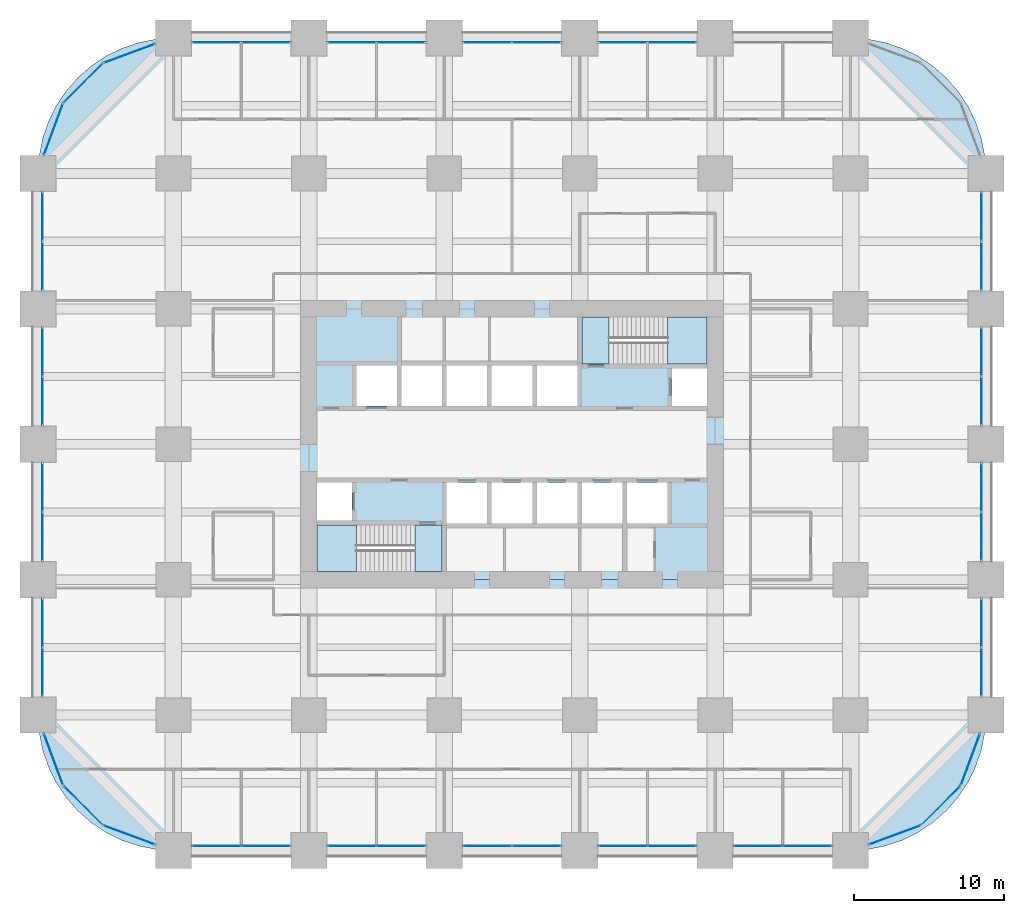
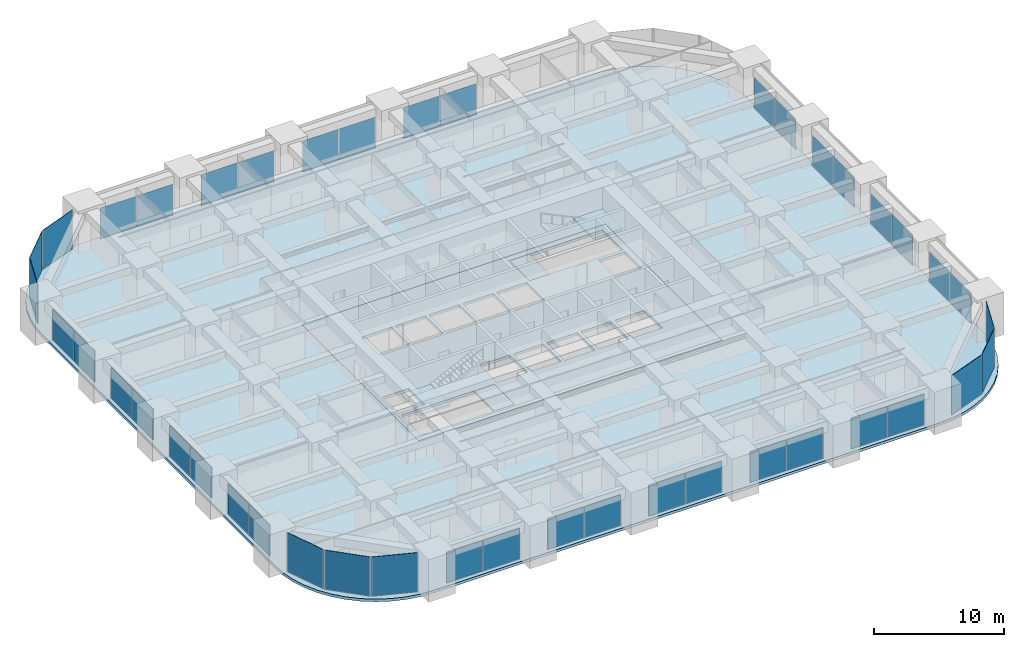
# One storey, part 38 of 45: 43 plates, 6 slabs, 28 elements without a shape of their own.
"""IFC4 building model written with IfcOpenShell, lengths in metres."""

from ifc_helpers import new_model, si_unit, direction, frame, origin, origin_2d, place, context, subcontext, project, spatial, polyline, rectangle, outline, extrude, material, layer, layer_set, type_object, element, aggregate, save


model = new_model("IFC4")

# Units and contexts
model_context = context("Model", 3, precision=1e-05, world=origin(), true_north=direction((0.0, 1.0)))
body_context = subcontext(model_context, "Body", "Model", "MODEL_VIEW")
ifc_project = project(units=[si_unit("LENGTHUNIT", "METRE"), si_unit("AREAUNIT", "SQUARE_METRE"), si_unit("VOLUMEUNIT", "CUBIC_METRE"), si_unit("PLANEANGLEUNIT", "RADIAN"), si_unit("MASSUNIT", "GRAM", prefix="KILO")], contexts=[model_context])

# Site, building, storey
site_placement = place(None, origin())
site = spatial("IfcSite", under=ifc_project, at=site_placement, CompositionType="ELEMENT")
building_placement = place(site_placement, origin())
building = spatial("IfcBuilding", under=site, at=building_placement, Name="Zorevar Civic Tower", CompositionType="ELEMENT")
storey_placement = place(building_placement, frame((0.0, 0.0, 47.800048828125)))
storey = spatial("IfcBuildingStorey", under=building, at=storey_placement, Name="L11", CompositionType="ELEMENT", Elevation=47.800048828125)

# Curtain wall, plates
ifc_material_1 = material(Name="Dark grey solar-control glass in black aluminium frame", Category="aluminium")
curtain_wall_type = type_object("IfcCurtainWallType", Name="Curtain wall CW2 low zone", PredefinedType="NOTDEFINED", material=ifc_material_1)
curtain_wall_1_placement = place(storey_placement, origin())
curtain_wall_1 = element("IfcCurtainWall", 1, at=curtain_wall_1_placement, inside=storey, type_object=curtain_wall_type, Name="CW2 L11", PredefinedType="NOTDEFINED")
ifc_material_2 = material(Name="Dark grey solar-control glass", Category="glass")
ifc_layer_1 = layer(ifc_material_2, 0.031982421875)
ifc_layer_set_1 = layer_set([ifc_layer_1], Name="CW2 panel 32")
plate_type = type_object("IfcPlateType", Name="CW2 panel 32", PredefinedType="CURTAIN_PANEL", material=ifc_layer_set_1)
plate_1_placement = place(storey_placement, frame((11.864990234375, 0.300048828125, 0.06005859375), z_axis=(0.0, 0.0, 1.0), x_axis=(1.0, 0.0, 0.0)))
plate_1 = element("IfcPlate", 2, at=plate_1_placement, type_object=plate_type, Name="CW2 panel 1.1", PredefinedType="CURTAIN_PANEL", context=body_context, shape_type="SweptSolid", body=[
    extrude(rectangle(XDim=3.2099609375, YDim=0.031982421875, at=origin_2d()), origin(), (0.0, 0.0, 1.0), 2.889892578125),
])
plate_2_placement = place(storey_placement, frame((15.135009765625, 0.300048828125, 0.06005859375), z_axis=(0.0, 0.0, 1.0), x_axis=(1.0, 0.0, 0.0)))
plate_2 = element("IfcPlate", 3, at=plate_2_placement, type_object=plate_type, Name="CW2 panel 2.1", PredefinedType="CURTAIN_PANEL", context=body_context, shape_type="SweptSolid", body=[
    extrude(rectangle(XDim=3.2099609375, YDim=0.031982421875, at=origin_2d()), origin(), (0.0, 0.0, 1.0), 2.889892578125),
])
aggregate(curtain_wall_1, [plate_1, plate_2])

curtain_wall_2_placement = place(storey_placement, origin())
curtain_wall_2 = element("IfcCurtainWall", 4, at=curtain_wall_2_placement, inside=storey, type_object=curtain_wall_type, Name="CW2 L11", PredefinedType="NOTDEFINED")
plate_3_placement = place(storey_placement, frame((11.864990234375, 53.699951171875, 0.06005859375), z_axis=(0.0, 0.0, 1.0), x_axis=(1.0, 0.0, 0.0)))
plate_3 = element("IfcPlate", 5, at=plate_3_placement, type_object=plate_type, Name="CW2 panel 1.1", PredefinedType="CURTAIN_PANEL", context=body_context, shape_type="SweptSolid", body=[
    extrude(rectangle(XDim=3.2099609375, YDim=0.031982421875, at=origin_2d()), origin(), (0.0, 0.0, 1.0), 2.889892578125),
])
plate_4_placement = place(storey_placement, frame((15.135009765625, 53.699951171875, 0.06005859375), z_axis=(0.0, 0.0, 1.0), x_axis=(1.0, 0.0, 0.0)))
plate_4 = element("IfcPlate", 6, at=plate_4_placement, type_object=plate_type, Name="CW2 panel 2.1", PredefinedType="CURTAIN_PANEL", context=body_context, shape_type="SweptSolid", body=[
    extrude(rectangle(XDim=3.2099609375, YDim=0.031982421875, at=origin_2d()), origin(), (0.0, 0.0, 1.0), 2.889892578125),
])
aggregate(curtain_wall_2, [plate_3, plate_4])

curtain_wall_3_placement = place(storey_placement, origin())
curtain_wall_3 = element("IfcCurtainWall", 7, at=curtain_wall_3_placement, inside=storey, type_object=curtain_wall_type, Name="CW2 L11", PredefinedType="NOTDEFINED")
plate_5_placement = place(storey_placement, frame((20.864990234375, 0.300048828125, 0.06005859375), z_axis=(0.0, 0.0, 1.0), x_axis=(1.0, 0.0, 0.0)))
plate_5 = element("IfcPlate", 8, at=plate_5_placement, type_object=plate_type, Name="CW2 panel 1.1", PredefinedType="CURTAIN_PANEL", context=body_context, shape_type="SweptSolid", body=[
    extrude(rectangle(XDim=3.2099609375, YDim=0.031982421875, at=origin_2d()), origin(), (0.0, 0.0, 1.0), 2.889892578125),
])
plate_6_placement = place(storey_placement, frame((24.135009765625, 0.300048828125, 0.06005859375), z_axis=(0.0, 0.0, 1.0), x_axis=(1.0, 0.0, 0.0)))
plate_6 = element("IfcPlate", 9, at=plate_6_placement, type_object=plate_type, Name="CW2 panel 2.1", PredefinedType="CURTAIN_PANEL", context=body_context, shape_type="SweptSolid", body=[
    extrude(rectangle(XDim=3.2099609375, YDim=0.031982421875, at=origin_2d()), origin(), (0.0, 0.0, 1.0), 2.889892578125),
])
aggregate(curtain_wall_3, [plate_5, plate_6])

curtain_wall_4_placement = place(storey_placement, origin())
curtain_wall_4 = element("IfcCurtainWall", 10, at=curtain_wall_4_placement, inside=storey, type_object=curtain_wall_type, Name="CW2 L11", PredefinedType="NOTDEFINED")
plate_7_placement = place(storey_placement, frame((20.864990234375, 53.699951171875, 0.06005859375), z_axis=(0.0, 0.0, 1.0), x_axis=(1.0, 0.0, 0.0)))
plate_7 = element("IfcPlate", 11, at=plate_7_placement, type_object=plate_type, Name="CW2 panel 1.1", PredefinedType="CURTAIN_PANEL", context=body_context, shape_type="SweptSolid", body=[
    extrude(rectangle(XDim=3.2099609375, YDim=0.031982421875, at=origin_2d()), origin(), (0.0, 0.0, 1.0), 2.889892578125),
])
plate_8_placement = place(storey_placement, frame((24.135009765625, 53.699951171875, 0.06005859375), z_axis=(0.0, 0.0, 1.0), x_axis=(1.0, 0.0, 0.0)))
plate_8 = element("IfcPlate", 12, at=plate_8_placement, type_object=plate_type, Name="CW2 panel 2.1", PredefinedType="CURTAIN_PANEL", context=body_context, shape_type="SweptSolid", body=[
    extrude(rectangle(XDim=3.2099609375, YDim=0.031982421875, at=origin_2d()), origin(), (0.0, 0.0, 1.0), 2.889892578125),
])
aggregate(curtain_wall_4, [plate_7, plate_8])

curtain_wall_5_placement = place(storey_placement, origin())
curtain_wall_5 = element("IfcCurtainWall", 13, at=curtain_wall_5_placement, inside=storey, type_object=curtain_wall_type, Name="CW2 L11", PredefinedType="NOTDEFINED")
plate_9_placement = place(storey_placement, frame((29.864990234375, 0.300048828125, 0.06005859375), z_axis=(0.0, 0.0, 1.0), x_axis=(1.0, 0.0, 0.0)))
plate_9 = element("IfcPlate", 14, at=plate_9_placement, type_object=plate_type, Name="CW2 panel 1.1", PredefinedType="CURTAIN_PANEL", context=body_context, shape_type="SweptSolid", body=[
    extrude(rectangle(XDim=3.2099609375, YDim=0.031982421875, at=origin_2d()), origin(), (0.0, 0.0, 1.0), 2.889892578125),
])
plate_10_placement = place(storey_placement, frame((33.135009765625, 0.300048828125, 0.06005859375), z_axis=(0.0, 0.0, 1.0), x_axis=(1.0, 0.0, 0.0)))
plate_10 = element("IfcPlate", 15, at=plate_10_placement, type_object=plate_type, Name="CW2 panel 2.1", PredefinedType="CURTAIN_PANEL", context=body_context, shape_type="SweptSolid", body=[
    extrude(rectangle(XDim=3.2099609375, YDim=0.031982421875, at=origin_2d()), origin(), (0.0, 0.0, 1.0), 2.889892578125),
])
aggregate(curtain_wall_5, [plate_9, plate_10])

curtain_wall_6_placement = place(storey_placement, origin())
curtain_wall_6 = element("IfcCurtainWall", 16, at=curtain_wall_6_placement, inside=storey, type_object=curtain_wall_type, Name="CW2 L11", PredefinedType="NOTDEFINED")
plate_11_placement = place(storey_placement, frame((29.864990234375, 53.699951171875, 0.06005859375), z_axis=(0.0, 0.0, 1.0), x_axis=(1.0, 0.0, 0.0)))
plate_11 = element("IfcPlate", 17, at=plate_11_placement, type_object=plate_type, Name="CW2 panel 1.1", PredefinedType="CURTAIN_PANEL", context=body_context, shape_type="SweptSolid", body=[
    extrude(rectangle(XDim=3.2099609375, YDim=0.031982421875, at=origin_2d()), origin(), (0.0, 0.0, 1.0), 2.889892578125),
])
plate_12_placement = place(storey_placement, frame((33.135009765625, 53.699951171875, 0.06005859375), z_axis=(0.0, 0.0, 1.0), x_axis=(1.0, 0.0, 0.0)))
plate_12 = element("IfcPlate", 18, at=plate_12_placement, type_object=plate_type, Name="CW2 panel 2.1", PredefinedType="CURTAIN_PANEL", context=body_context, shape_type="SweptSolid", body=[
    extrude(rectangle(XDim=3.2099609375, YDim=0.031982421875, at=origin_2d()), origin(), (0.0, 0.0, 1.0), 2.889892578125),
])
aggregate(curtain_wall_6, [plate_11, plate_12])

curtain_wall_7_placement = place(storey_placement, origin())
curtain_wall_7 = element("IfcCurtainWall", 19, at=curtain_wall_7_placement, inside=storey, type_object=curtain_wall_type, Name="CW2 L11", PredefinedType="NOTDEFINED")
plate_13_placement = place(storey_placement, frame((38.864990234375, 0.300048828125, 0.06005859375), z_axis=(0.0, 0.0, 1.0), x_axis=(1.0, 0.0, 0.0)))
plate_13 = element("IfcPlate", 20, at=plate_13_placement, type_object=plate_type, Name="CW2 panel 1.1", PredefinedType="CURTAIN_PANEL", context=body_context, shape_type="SweptSolid", body=[
    extrude(rectangle(XDim=3.2099609375, YDim=0.031982421875, at=origin_2d()), origin(), (0.0, 0.0, 1.0), 2.889892578125),
])
plate_14_placement = place(storey_placement, frame((42.135009765625, 0.300048828125, 0.06005859375), z_axis=(0.0, 0.0, 1.0), x_axis=(1.0, 0.0, 0.0)))
plate_14 = element("IfcPlate", 21, at=plate_14_placement, type_object=plate_type, Name="CW2 panel 2.1", PredefinedType="CURTAIN_PANEL", context=body_context, shape_type="SweptSolid", body=[
    extrude(rectangle(XDim=3.2099609375, YDim=0.031982421875, at=origin_2d()), origin(), (0.0, 0.0, 1.0), 2.889892578125),
])
aggregate(curtain_wall_7, [plate_13, plate_14])

curtain_wall_8_placement = place(storey_placement, origin())
curtain_wall_8 = element("IfcCurtainWall", 22, at=curtain_wall_8_placement, inside=storey, type_object=curtain_wall_type, Name="CW2 L11", PredefinedType="NOTDEFINED")
plate_15_placement = place(storey_placement, frame((38.864990234375, 53.699951171875, 0.06005859375), z_axis=(0.0, 0.0, 1.0), x_axis=(1.0, 0.0, 0.0)))
plate_15 = element("IfcPlate", 23, at=plate_15_placement, type_object=plate_type, Name="CW2 panel 1.1", PredefinedType="CURTAIN_PANEL", context=body_context, shape_type="SweptSolid", body=[
    extrude(rectangle(XDim=3.2099609375, YDim=0.031982421875, at=origin_2d()), origin(), (0.0, 0.0, 1.0), 2.889892578125),
])
plate_16_placement = place(storey_placement, frame((42.135009765625, 53.699951171875, 0.06005859375), z_axis=(0.0, 0.0, 1.0), x_axis=(1.0, 0.0, 0.0)))
plate_16 = element("IfcPlate", 24, at=plate_16_placement, type_object=plate_type, Name="CW2 panel 2.1", PredefinedType="CURTAIN_PANEL", context=body_context, shape_type="SweptSolid", body=[
    extrude(rectangle(XDim=3.2099609375, YDim=0.031982421875, at=origin_2d()), origin(), (0.0, 0.0, 1.0), 2.889892578125),
])
aggregate(curtain_wall_8, [plate_15, plate_16])

curtain_wall_9_placement = place(storey_placement, origin())
curtain_wall_9 = element("IfcCurtainWall", 25, at=curtain_wall_9_placement, inside=storey, type_object=curtain_wall_type, Name="CW2 L11", PredefinedType="NOTDEFINED")
plate_17_placement = place(storey_placement, frame((47.864990234375, 0.300048828125, 0.06005859375), z_axis=(0.0, 0.0, 1.0), x_axis=(1.0, 0.0, 0.0)))
plate_17 = element("IfcPlate", 26, at=plate_17_placement, type_object=plate_type, Name="CW2 panel 1.1", PredefinedType="CURTAIN_PANEL", context=body_context, shape_type="SweptSolid", body=[
    extrude(rectangle(XDim=3.2099609375, YDim=0.031982421875, at=origin_2d()), origin(), (0.0, 0.0, 1.0), 2.889892578125),
])
plate_18_placement = place(storey_placement, frame((51.135009765625, 0.300048828125, 0.06005859375), z_axis=(0.0, 0.0, 1.0), x_axis=(1.0, 0.0, 0.0)))
plate_18 = element("IfcPlate", 27, at=plate_18_placement, type_object=plate_type, Name="CW2 panel 2.1", PredefinedType="CURTAIN_PANEL", context=body_context, shape_type="SweptSolid", body=[
    extrude(rectangle(XDim=3.2099609375, YDim=0.031982421875, at=origin_2d()), origin(), (0.0, 0.0, 1.0), 2.889892578125),
])
aggregate(curtain_wall_9, [plate_17, plate_18])

curtain_wall_10_placement = place(storey_placement, origin())
curtain_wall_10 = element("IfcCurtainWall", 28, at=curtain_wall_10_placement, inside=storey, type_object=curtain_wall_type, Name="CW2 L11", PredefinedType="NOTDEFINED")
plate_19_placement = place(storey_placement, frame((0.300048828125, 11.864990234375, 0.06005859375), z_axis=(0.0, 0.0, 1.0), x_axis=(0.0, 1.0, 0.0)))
plate_19 = element("IfcPlate", 29, at=plate_19_placement, type_object=plate_type, Name="CW2 panel 1.1", PredefinedType="CURTAIN_PANEL", context=body_context, shape_type="SweptSolid", body=[
    extrude(rectangle(XDim=3.2099609375, YDim=0.031982421875, at=origin_2d()), origin(), (0.0, 0.0, 1.0), 2.889892578125),
])
plate_20_placement = place(storey_placement, frame((0.300048828125, 15.135009765625, 0.06005859375), z_axis=(0.0, 0.0, 1.0), x_axis=(0.0, 1.0, 0.0)))
plate_20 = element("IfcPlate", 30, at=plate_20_placement, type_object=plate_type, Name="CW2 panel 2.1", PredefinedType="CURTAIN_PANEL", context=body_context, shape_type="SweptSolid", body=[
    extrude(rectangle(XDim=3.2099609375, YDim=0.031982421875, at=origin_2d()), origin(), (0.0, 0.0, 1.0), 2.889892578125),
])
aggregate(curtain_wall_10, [plate_19, plate_20])

curtain_wall_11_placement = place(storey_placement, origin())
curtain_wall_11 = element("IfcCurtainWall", 31, at=curtain_wall_11_placement, inside=storey, type_object=curtain_wall_type, Name="CW2 L11", PredefinedType="NOTDEFINED")
plate_21_placement = place(storey_placement, frame((62.699951171875, 11.864990234375, 0.06005859375), z_axis=(0.0, 0.0, 1.0), x_axis=(0.0, 1.0, 0.0)))
plate_21 = element("IfcPlate", 32, at=plate_21_placement, type_object=plate_type, Name="CW2 panel 1.1", PredefinedType="CURTAIN_PANEL", context=body_context, shape_type="SweptSolid", body=[
    extrude(rectangle(XDim=3.2099609375, YDim=0.031982421875, at=origin_2d()), origin(), (0.0, 0.0, 1.0), 2.889892578125),
])
plate_22_placement = place(storey_placement, frame((62.699951171875, 15.135009765625, 0.06005859375), z_axis=(0.0, 0.0, 1.0), x_axis=(0.0, 1.0, 0.0)))
plate_22 = element("IfcPlate", 33, at=plate_22_placement, type_object=plate_type, Name="CW2 panel 2.1", PredefinedType="CURTAIN_PANEL", context=body_context, shape_type="SweptSolid", body=[
    extrude(rectangle(XDim=3.2099609375, YDim=0.031982421875, at=origin_2d()), origin(), (0.0, 0.0, 1.0), 2.889892578125),
])
aggregate(curtain_wall_11, [plate_21, plate_22])

curtain_wall_12_placement = place(storey_placement, origin())
curtain_wall_12 = element("IfcCurtainWall", 34, at=curtain_wall_12_placement, inside=storey, type_object=curtain_wall_type, Name="CW2 L11", PredefinedType="NOTDEFINED")
plate_23_placement = place(storey_placement, frame((0.300048828125, 20.864990234375, 0.06005859375), z_axis=(0.0, 0.0, 1.0), x_axis=(0.0, 1.0, 0.0)))
plate_23 = element("IfcPlate", 35, at=plate_23_placement, type_object=plate_type, Name="CW2 panel 1.1", PredefinedType="CURTAIN_PANEL", context=body_context, shape_type="SweptSolid", body=[
    extrude(rectangle(XDim=3.2099609375, YDim=0.031982421875, at=origin_2d()), origin(), (0.0, 0.0, 1.0), 2.889892578125),
])
plate_24_placement = place(storey_placement, frame((0.300048828125, 24.135009765625, 0.06005859375), z_axis=(0.0, 0.0, 1.0), x_axis=(0.0, 1.0, 0.0)))
plate_24 = element("IfcPlate", 36, at=plate_24_placement, type_object=plate_type, Name="CW2 panel 2.1", PredefinedType="CURTAIN_PANEL", context=body_context, shape_type="SweptSolid", body=[
    extrude(rectangle(XDim=3.2099609375, YDim=0.031982421875, at=origin_2d()), origin(), (0.0, 0.0, 1.0), 2.889892578125),
])
aggregate(curtain_wall_12, [plate_23, plate_24])

curtain_wall_13_placement = place(storey_placement, origin())
curtain_wall_13 = element("IfcCurtainWall", 37, at=curtain_wall_13_placement, inside=storey, type_object=curtain_wall_type, Name="CW2 L11", PredefinedType="NOTDEFINED")
plate_25_placement = place(storey_placement, frame((62.699951171875, 20.864990234375, 0.06005859375), z_axis=(0.0, 0.0, 1.0), x_axis=(0.0, 1.0, 0.0)))
plate_25 = element("IfcPlate", 38, at=plate_25_placement, type_object=plate_type, Name="CW2 panel 1.1", PredefinedType="CURTAIN_PANEL", context=body_context, shape_type="SweptSolid", body=[
    extrude(rectangle(XDim=3.2099609375, YDim=0.031982421875, at=origin_2d()), origin(), (0.0, 0.0, 1.0), 2.889892578125),
])
plate_26_placement = place(storey_placement, frame((62.699951171875, 24.135009765625, 0.06005859375), z_axis=(0.0, 0.0, 1.0), x_axis=(0.0, 1.0, 0.0)))
plate_26 = element("IfcPlate", 39, at=plate_26_placement, type_object=plate_type, Name="CW2 panel 2.1", PredefinedType="CURTAIN_PANEL", context=body_context, shape_type="SweptSolid", body=[
    extrude(rectangle(XDim=3.2099609375, YDim=0.031982421875, at=origin_2d()), origin(), (0.0, 0.0, 1.0), 2.889892578125),
])
aggregate(curtain_wall_13, [plate_25, plate_26])

curtain_wall_14_placement = place(storey_placement, origin())
curtain_wall_14 = element("IfcCurtainWall", 40, at=curtain_wall_14_placement, inside=storey, type_object=curtain_wall_type, Name="CW2 L11", PredefinedType="NOTDEFINED")
plate_27_placement = place(storey_placement, frame((0.300048828125, 29.864990234375, 0.06005859375), z_axis=(0.0, 0.0, 1.0), x_axis=(0.0, 1.0, 0.0)))
plate_27 = element("IfcPlate", 41, at=plate_27_placement, type_object=plate_type, Name="CW2 panel 1.1", PredefinedType="CURTAIN_PANEL", context=body_context, shape_type="SweptSolid", body=[
    extrude(rectangle(XDim=3.2099609375, YDim=0.031982421875, at=origin_2d()), origin(), (0.0, 0.0, 1.0), 2.889892578125),
])
plate_28_placement = place(storey_placement, frame((0.300048828125, 33.135009765625, 0.06005859375), z_axis=(0.0, 0.0, 1.0), x_axis=(0.0, 1.0, 0.0)))
plate_28 = element("IfcPlate", 42, at=plate_28_placement, type_object=plate_type, Name="CW2 panel 2.1", PredefinedType="CURTAIN_PANEL", context=body_context, shape_type="SweptSolid", body=[
    extrude(rectangle(XDim=3.2099609375, YDim=0.031982421875, at=origin_2d()), origin(), (0.0, 0.0, 1.0), 2.889892578125),
])
aggregate(curtain_wall_14, [plate_27, plate_28])

curtain_wall_15_placement = place(storey_placement, origin())
curtain_wall_15 = element("IfcCurtainWall", 43, at=curtain_wall_15_placement, inside=storey, type_object=curtain_wall_type, Name="CW2 L11", PredefinedType="NOTDEFINED")
plate_29_placement = place(storey_placement, frame((62.699951171875, 29.864990234375, 0.06005859375), z_axis=(0.0, 0.0, 1.0), x_axis=(0.0, 1.0, 0.0)))
plate_29 = element("IfcPlate", 44, at=plate_29_placement, type_object=plate_type, Name="CW2 panel 1.1", PredefinedType="CURTAIN_PANEL", context=body_context, shape_type="SweptSolid", body=[
    extrude(rectangle(XDim=3.2099609375, YDim=0.031982421875, at=origin_2d()), origin(), (0.0, 0.0, 1.0), 2.889892578125),
])
plate_30_placement = place(storey_placement, frame((62.699951171875, 33.135009765625, 0.06005859375), z_axis=(0.0, 0.0, 1.0), x_axis=(0.0, 1.0, 0.0)))
plate_30 = element("IfcPlate", 45, at=plate_30_placement, type_object=plate_type, Name="CW2 panel 2.1", PredefinedType="CURTAIN_PANEL", context=body_context, shape_type="SweptSolid", body=[
    extrude(rectangle(XDim=3.2099609375, YDim=0.031982421875, at=origin_2d()), origin(), (0.0, 0.0, 1.0), 2.889892578125),
])
aggregate(curtain_wall_15, [plate_29, plate_30])

curtain_wall_16_placement = place(storey_placement, origin())
curtain_wall_16 = element("IfcCurtainWall", 46, at=curtain_wall_16_placement, inside=storey, type_object=curtain_wall_type, Name="CW2 L11", PredefinedType="NOTDEFINED")
plate_31_placement = place(storey_placement, frame((0.300048828125, 38.864990234375, 0.06005859375), z_axis=(0.0, 0.0, 1.0), x_axis=(0.0, 1.0, 0.0)))
plate_31 = element("IfcPlate", 47, at=plate_31_placement, type_object=plate_type, Name="CW2 panel 1.1", PredefinedType="CURTAIN_PANEL", context=body_context, shape_type="SweptSolid", body=[
    extrude(rectangle(XDim=3.2099609375, YDim=0.031982421875, at=origin_2d()), origin(), (0.0, 0.0, 1.0), 2.889892578125),
])
plate_32_placement = place(storey_placement, frame((0.300048828125, 42.135009765625, 0.06005859375), z_axis=(0.0, 0.0, 1.0), x_axis=(0.0, 1.0, 0.0)))
plate_32 = element("IfcPlate", 48, at=plate_32_placement, type_object=plate_type, Name="CW2 panel 2.1", PredefinedType="CURTAIN_PANEL", context=body_context, shape_type="SweptSolid", body=[
    extrude(rectangle(XDim=3.2099609375, YDim=0.031982421875, at=origin_2d()), origin(), (0.0, 0.0, 1.0), 2.889892578125),
])
aggregate(curtain_wall_16, [plate_31, plate_32])

curtain_wall_17_placement = place(storey_placement, origin())
curtain_wall_17 = element("IfcCurtainWall", 49, at=curtain_wall_17_placement, inside=storey, type_object=curtain_wall_type, Name="CW2 L11", PredefinedType="NOTDEFINED")
plate_33_placement = place(storey_placement, frame((62.699951171875, 38.864990234375, 0.06005859375), z_axis=(0.0, 0.0, 1.0), x_axis=(0.0, 1.0, 0.0)))
plate_33 = element("IfcPlate", 50, at=plate_33_placement, type_object=plate_type, Name="CW2 panel 1.1", PredefinedType="CURTAIN_PANEL", context=body_context, shape_type="SweptSolid", body=[
    extrude(rectangle(XDim=3.2099609375, YDim=0.031982421875, at=origin_2d()), origin(), (0.0, 0.0, 1.0), 2.889892578125),
])
plate_34_placement = place(storey_placement, frame((62.699951171875, 42.135009765625, 0.06005859375), z_axis=(0.0, 0.0, 1.0), x_axis=(0.0, 1.0, 0.0)))
plate_34 = element("IfcPlate", 51, at=plate_34_placement, type_object=plate_type, Name="CW2 panel 2.1", PredefinedType="CURTAIN_PANEL", context=body_context, shape_type="SweptSolid", body=[
    extrude(rectangle(XDim=3.2099609375, YDim=0.031982421875, at=origin_2d()), origin(), (0.0, 0.0, 1.0), 2.889892578125),
])
aggregate(curtain_wall_17, [plate_33, plate_34])

# Curtain wall, plate
curtain_wall_18_placement = place(storey_placement, origin())
curtain_wall_18 = element("IfcCurtainWall", 52, at=curtain_wall_18_placement, inside=storey, type_object=curtain_wall_type, Name="CW2 L11", PredefinedType="NOTDEFINED")
plate_35_placement = place(storey_placement, frame((56.9462890625, 1.02880859375, 0.06005859375), z_axis=(0.0, 0.0, 1.0), x_axis=(0.937974588163, 0.346704012033, 0.0)))
plate_35 = element("IfcPlate", 53, at=plate_35_placement, type_object=plate_type, Name="CW2 panel 1.1", PredefinedType="CURTAIN_PANEL", context=body_context, shape_type="SweptSolid", body=[
    extrude(rectangle(XDim=3.603759765625, YDim=0.031982421875, at=origin_2d()), origin(), (0.0, 0.0, 1.0), 3.68994140625),
])
aggregate(curtain_wall_18, [plate_35])

curtain_wall_19_placement = place(storey_placement, origin())
curtain_wall_19 = element("IfcCurtainWall", 54, at=curtain_wall_19_placement, inside=storey, type_object=curtain_wall_type, Name="CW2 L11", PredefinedType="NOTDEFINED")
plate_36_placement = place(storey_placement, frame((60.00927734375, 2.99072265625, 0.06005859375), z_axis=(0.0, 0.0, 1.0), x_axis=(0.707106781187, 0.707106781187, 0.0)))
plate_36 = element("IfcPlate", 55, at=plate_36_placement, type_object=plate_type, Name="CW2 panel 1.1", PredefinedType="CURTAIN_PANEL", context=body_context, shape_type="SweptSolid", body=[
    extrude(rectangle(XDim=3.603759765625, YDim=0.031982421875, at=origin_2d()), origin(), (0.0, 0.0, 1.0), 3.68994140625),
])
aggregate(curtain_wall_19, [plate_36])

curtain_wall_20_placement = place(storey_placement, origin())
curtain_wall_20 = element("IfcCurtainWall", 56, at=curtain_wall_20_placement, inside=storey, type_object=curtain_wall_type, Name="CW2 L11", PredefinedType="NOTDEFINED")
plate_37_placement = place(storey_placement, frame((61.97119140625, 6.0537109375, 0.06005859375), z_axis=(0.0, 0.0, 1.0), x_axis=(0.346704012033, 0.937974588163, 0.0)))
plate_37 = element("IfcPlate", 57, at=plate_37_placement, type_object=plate_type, Name="CW2 panel 1.1", PredefinedType="CURTAIN_PANEL", context=body_context, shape_type="SweptSolid", body=[
    extrude(rectangle(XDim=3.603759765625, YDim=0.031982421875, at=origin_2d()), origin(), (0.0, 0.0, 1.0), 3.68994140625),
])
aggregate(curtain_wall_20, [plate_37])

curtain_wall_21_placement = place(storey_placement, origin())
curtain_wall_21 = element("IfcCurtainWall", 58, at=curtain_wall_21_placement, inside=storey, type_object=curtain_wall_type, Name="CW2 L11", PredefinedType="NOTDEFINED")
plate_38_placement = place(storey_placement, frame((6.0537109375, 52.97119140625, 0.06005859375), z_axis=(0.0, 0.0, 1.0), x_axis=(-0.937974588163, -0.346704012033, 0.0)))
plate_38 = element("IfcPlate", 59, at=plate_38_placement, type_object=plate_type, Name="CW2 panel 1.1", PredefinedType="CURTAIN_PANEL", context=body_context, shape_type="SweptSolid", body=[
    extrude(rectangle(XDim=3.603759765625, YDim=0.031982421875, at=origin_2d()), origin(), (0.0, 0.0, 1.0), 3.68994140625),
])
aggregate(curtain_wall_21, [plate_38])

curtain_wall_22_placement = place(storey_placement, origin())
curtain_wall_22 = element("IfcCurtainWall", 60, at=curtain_wall_22_placement, inside=storey, type_object=curtain_wall_type, Name="CW2 L11", PredefinedType="NOTDEFINED")
plate_39_placement = place(storey_placement, frame((2.99072265625, 51.00927734375, 0.06005859375), z_axis=(0.0, 0.0, 1.0), x_axis=(-0.707106781187, -0.707106781187, 0.0)))
plate_39 = element("IfcPlate", 61, at=plate_39_placement, type_object=plate_type, Name="CW2 panel 1.1", PredefinedType="CURTAIN_PANEL", context=body_context, shape_type="SweptSolid", body=[
    extrude(rectangle(XDim=3.603759765625, YDim=0.031982421875, at=origin_2d()), origin(), (0.0, 0.0, 1.0), 3.68994140625),
])
aggregate(curtain_wall_22, [plate_39])

curtain_wall_23_placement = place(storey_placement, origin())
curtain_wall_23 = element("IfcCurtainWall", 62, at=curtain_wall_23_placement, inside=storey, type_object=curtain_wall_type, Name="CW2 L11", PredefinedType="NOTDEFINED")
plate_40_placement = place(storey_placement, frame((1.02880859375, 47.9462890625, 0.06005859375), z_axis=(0.0, 0.0, 1.0), x_axis=(-0.346704012033, -0.937974588163, 0.0)))
plate_40 = element("IfcPlate", 63, at=plate_40_placement, type_object=plate_type, Name="CW2 panel 1.1", PredefinedType="CURTAIN_PANEL", context=body_context, shape_type="SweptSolid", body=[
    extrude(rectangle(XDim=3.603759765625, YDim=0.031982421875, at=origin_2d()), origin(), (0.0, 0.0, 1.0), 3.68994140625),
])
aggregate(curtain_wall_23, [plate_40])

curtain_wall_24_placement = place(storey_placement, origin())
curtain_wall_24 = element("IfcCurtainWall", 64, at=curtain_wall_24_placement, inside=storey, type_object=curtain_wall_type, Name="CW2 L11", PredefinedType="NOTDEFINED")
plate_41_placement = place(storey_placement, frame((1.02880859375, 6.0537109375, 0.06005859375), z_axis=(0.0, 0.0, 1.0), x_axis=(0.346704012033, -0.937974588163, 0.0)))
plate_41 = element("IfcPlate", 65, at=plate_41_placement, type_object=plate_type, Name="CW2 panel 1.1", PredefinedType="CURTAIN_PANEL", context=body_context, shape_type="SweptSolid", body=[
    extrude(rectangle(XDim=3.603759765625, YDim=0.031982421875, at=origin_2d()), origin(), (0.0, 0.0, 1.0), 3.68994140625),
])
aggregate(curtain_wall_24, [plate_41])

curtain_wall_25_placement = place(storey_placement, origin())
curtain_wall_25 = element("IfcCurtainWall", 66, at=curtain_wall_25_placement, inside=storey, type_object=curtain_wall_type, Name="CW2 L11", PredefinedType="NOTDEFINED")
plate_42_placement = place(storey_placement, frame((2.99072265625, 2.99072265625, 0.06005859375), z_axis=(0.0, 0.0, 1.0), x_axis=(0.707106781187, -0.707106781187, 0.0)))
plate_42 = element("IfcPlate", 67, at=plate_42_placement, type_object=plate_type, Name="CW2 panel 1.1", PredefinedType="CURTAIN_PANEL", context=body_context, shape_type="SweptSolid", body=[
    extrude(rectangle(XDim=3.603759765625, YDim=0.031982421875, at=origin_2d()), origin(), (0.0, 0.0, 1.0), 3.68994140625),
])
aggregate(curtain_wall_25, [plate_42])

curtain_wall_26_placement = place(storey_placement, origin())
curtain_wall_26 = element("IfcCurtainWall", 68, at=curtain_wall_26_placement, inside=storey, type_object=curtain_wall_type, Name="CW2 L11", PredefinedType="NOTDEFINED")
plate_43_placement = place(storey_placement, frame((6.0537109375, 1.02880859375, 0.06005859375), z_axis=(0.0, 0.0, 1.0), x_axis=(0.937974588163, -0.346704012033, 0.0)))
plate_43 = element("IfcPlate", 69, at=plate_43_placement, type_object=plate_type, Name="CW2 panel 1.1", PredefinedType="CURTAIN_PANEL", context=body_context, shape_type="SweptSolid", body=[
    extrude(rectangle(XDim=3.603759765625, YDim=0.031982421875, at=origin_2d()), origin(), (0.0, 0.0, 1.0), 3.68994140625),
])
aggregate(curtain_wall_26, [plate_43])

# Slabs
ifc_material_3 = material(Name="Concrete C40/50", Category="concrete")
ifc_layer_2 = layer(ifc_material_3, 0.25)
ifc_layer_set_2 = layer_set([ifc_layer_2], Name="Compartment floor slab 250")
slab_type_1 = type_object("IfcSlabType", Name="Compartment floor slab 250", PredefinedType="FLOOR", material=ifc_layer_set_2)
slab_1_placement = place(storey_placement, frame((0.0, 0.0, -0.25)))
element("IfcSlab", 70, at=slab_1_placement, inside=storey, type_object=slab_type_1, Name="Floor slab L11", PredefinedType="FLOOR", context=body_context, shape_type="SweptSolid", body=[
    extrude(outline(polyline([(54.0, 0.0), (55.1748046875, 0.076904296875), (56.329345703125, 0.306640625), (57.444091796875, 0.68505859375), (58.5, 1.205810546875), (59.478759765625, 1.85986328125), (60.364013671875, 2.635986328125), (61.14013671875, 3.521240234375), (61.794189453125, 4.5), (62.31494140625, 5.555908203125), (62.693359375, 6.670654296875), (62.923095703125, 7.8251953125), (63.0, 9.0), (63.0, 45.0), (62.923095703125, 46.1748046875), (62.693359375, 47.329345703125), (62.31494140625, 48.444091796875), (61.794189453125, 49.5), (61.14013671875, 50.478759765625), (60.364013671875, 51.364013671875), (59.478759765625, 52.14013671875), (58.5, 52.794189453125), (57.444091796875, 53.31494140625), (56.329345703125, 53.693359375), (55.1748046875, 53.923095703125), (54.0, 54.0), (9.0, 54.0), (7.8251953125, 53.923095703125), (6.670654296875, 53.693359375), (5.555908203125, 53.31494140625), (4.5, 52.794189453125), (3.521240234375, 52.14013671875), (2.635986328125, 51.364013671875), (1.85986328125, 50.478759765625), (1.205810546875, 49.5), (0.68505859375, 48.444091796875), (0.306640625, 47.329345703125), (0.076904296875, 46.1748046875), (0.0, 45.0), (0.0, 9.0), (0.076904296875, 7.8251953125), (0.306640625, 6.670654296875), (0.68505859375, 5.555908203125), (1.205810546875, 4.5), (1.85986328125, 3.521240234375), (2.635986328125, 2.635986328125), (3.521240234375, 1.85986328125), (4.5, 1.205810546875), (5.555908203125, 0.68505859375), (6.670654296875, 0.306640625), (7.8251953125, 0.076904296875), (9.0, 0.0), (54.0, 0.0)]), holes=[polyline([(18.0, 18.0), (45.0, 18.0), (45.0, 36.0), (18.0, 36.0), (18.0, 18.0)])]), origin(), (0.0, 0.0, 1.0), 0.25),
])
slab_2_placement = place(storey_placement, frame((0.0, 0.0, -0.25)))
element("IfcSlab", 71, at=slab_2_placement, inside=storey, type_object=slab_type_1, Name="Core floor L11", PredefinedType="FLOOR", context=body_context, shape_type="SweptSolid", body=[
    extrude(outline(polyline([(18.0, 18.0), (45.0, 18.0), (45.0, 36.0), (18.0, 36.0), (18.0, 18.0)]), holes=[polyline([(18.550048828125, 18.550048828125), (26.85009765625, 18.550048828125), (26.85009765625, 21.64990234375), (18.550048828125, 21.64990234375), (18.550048828125, 18.550048828125)]), polyline([(36.14990234375, 32.35009765625), (44.449951171875, 32.35009765625), (44.449951171875, 35.449951171875), (36.14990234375, 35.449951171875), (36.14990234375, 32.35009765625)]), polyline([(18.550048828125, 21.949951171875), (20.85009765625, 21.949951171875), (20.85009765625, 24.449951171875), (18.550048828125, 24.449951171875), (18.550048828125, 21.949951171875)]), polyline([(42.14990234375, 29.550048828125), (44.449951171875, 29.550048828125), (44.449951171875, 32.050048828125), (42.14990234375, 32.050048828125), (42.14990234375, 29.550048828125)]), polyline([(27.14990234375, 21.75), (29.85009765625, 21.75), (29.85009765625, 24.449951171875), (27.14990234375, 24.449951171875), (27.14990234375, 21.75)]), polyline([(33.14990234375, 29.550048828125), (35.85009765625, 29.550048828125), (35.85009765625, 32.25), (33.14990234375, 32.25), (33.14990234375, 29.550048828125)]), polyline([(30.14990234375, 21.75), (32.85009765625, 21.75), (32.85009765625, 24.449951171875), (30.14990234375, 24.449951171875), (30.14990234375, 21.75)]), polyline([(30.14990234375, 29.550048828125), (32.85009765625, 29.550048828125), (32.85009765625, 32.25), (30.14990234375, 32.25), (30.14990234375, 29.550048828125)]), polyline([(33.14990234375, 21.75), (35.85009765625, 21.75), (35.85009765625, 24.449951171875), (33.14990234375, 24.449951171875), (33.14990234375, 21.75)]), polyline([(27.14990234375, 29.550048828125), (29.85009765625, 29.550048828125), (29.85009765625, 32.25), (27.14990234375, 32.25), (27.14990234375, 29.550048828125)]), polyline([(36.14990234375, 21.75), (38.85009765625, 21.75), (38.85009765625, 24.449951171875), (36.14990234375, 24.449951171875), (36.14990234375, 21.75)]), polyline([(24.14990234375, 29.550048828125), (26.85009765625, 29.550048828125), (26.85009765625, 32.25), (24.14990234375, 32.25), (24.14990234375, 29.550048828125)]), polyline([(39.14990234375, 21.75), (41.85009765625, 21.75), (41.85009765625, 24.449951171875), (39.14990234375, 24.449951171875), (39.14990234375, 21.75)]), polyline([(21.14990234375, 29.550048828125), (23.85009765625, 29.550048828125), (23.85009765625, 32.25), (21.14990234375, 32.25), (21.14990234375, 29.550048828125)])]), origin(), (0.0, 0.0, 1.0), 0.25),
])

# Stair, slabs
ifc_material_4 = material(Name="Precast concrete C40/50", Category="concrete")
stair_type = type_object("IfcStairType", Name="Stair ST 28R", PredefinedType="HALF_TURN_STAIR", material=ifc_material_4)
stair_1_placement = place(storey_placement, origin())
stair_1 = element("IfcStair", 72, at=stair_1_placement, inside=storey, type_object=stair_type, Name="Stair ST1 L11", PredefinedType="HALF_TURN_STAIR")
ifc_material_5 = material(Name="Concrete C40/50", Category="concrete")
ifc_layer_3 = layer(ifc_material_5, 0.199951171875)
ifc_layer_set_3 = layer_set([ifc_layer_3], Name="Stair landing 200")
slab_type_2 = type_object("IfcSlabType", Name="Stair landing 200", PredefinedType="LANDING", material=ifc_layer_set_3)
slab_3_placement = place(storey_placement, frame((0.0, 0.0, -0.199951171875)))
slab_3 = element("IfcSlab", 73, at=slab_3_placement, type_object=slab_type_2, Name="ST1 landing 1", PredefinedType="LANDING", context=body_context, shape_type="SweptSolid", body=[
    extrude(outline(polyline([(25.050048828125, 18.550048828125), (26.85009765625, 18.550048828125), (26.85009765625, 21.64990234375), (25.050048828125, 21.64990234375), (25.050048828125, 18.550048828125)])), origin(), (0.0, 0.0, 1.0), 0.199951171875),
])
slab_4_placement = place(storey_placement, frame((0.0, 0.0, 1.800048828125)))
slab_4 = element("IfcSlab", 74, at=slab_4_placement, type_object=slab_type_2, Name="ST1 landing 2", PredefinedType="LANDING", context=body_context, shape_type="SweptSolid", body=[
    extrude(outline(polyline([(18.550048828125, 18.550048828125), (21.14990234375, 18.550048828125), (21.14990234375, 21.64990234375), (18.550048828125, 21.64990234375), (18.550048828125, 18.550048828125)])), origin(), (0.0, 0.0, 1.0), 0.199951171875),
])
aggregate(stair_1, [slab_3, slab_4])

stair_2_placement = place(storey_placement, origin())
stair_2 = element("IfcStair", 75, at=stair_2_placement, inside=storey, type_object=stair_type, Name="Stair ST2 L11", PredefinedType="HALF_TURN_STAIR")
slab_5_placement = place(storey_placement, frame((0.0, 0.0, -0.199951171875)))
slab_5 = element("IfcSlab", 76, at=slab_5_placement, type_object=slab_type_2, Name="ST2 landing 1", PredefinedType="LANDING", context=body_context, shape_type="SweptSolid", body=[
    extrude(outline(polyline([(37.949951171875, 32.35009765625), (36.14990234375, 32.35009765625), (36.14990234375, 35.449951171875), (37.949951171875, 35.449951171875), (37.949951171875, 32.35009765625)])), origin(), (0.0, 0.0, 1.0), 0.199951171875),
])
slab_6_placement = place(storey_placement, frame((0.0, 0.0, 1.800048828125)))
slab_6 = element("IfcSlab", 77, at=slab_6_placement, type_object=slab_type_2, Name="ST2 landing 2", PredefinedType="LANDING", context=body_context, shape_type="SweptSolid", body=[
    extrude(outline(polyline([(44.449951171875, 32.35009765625), (41.85009765625, 32.35009765625), (41.85009765625, 35.449951171875), (44.449951171875, 35.449951171875), (44.449951171875, 32.35009765625)])), origin(), (0.0, 0.0, 1.0), 0.199951171875),
])
aggregate(stair_2, [slab_5, slab_6])

save(model, "model.ifc")
